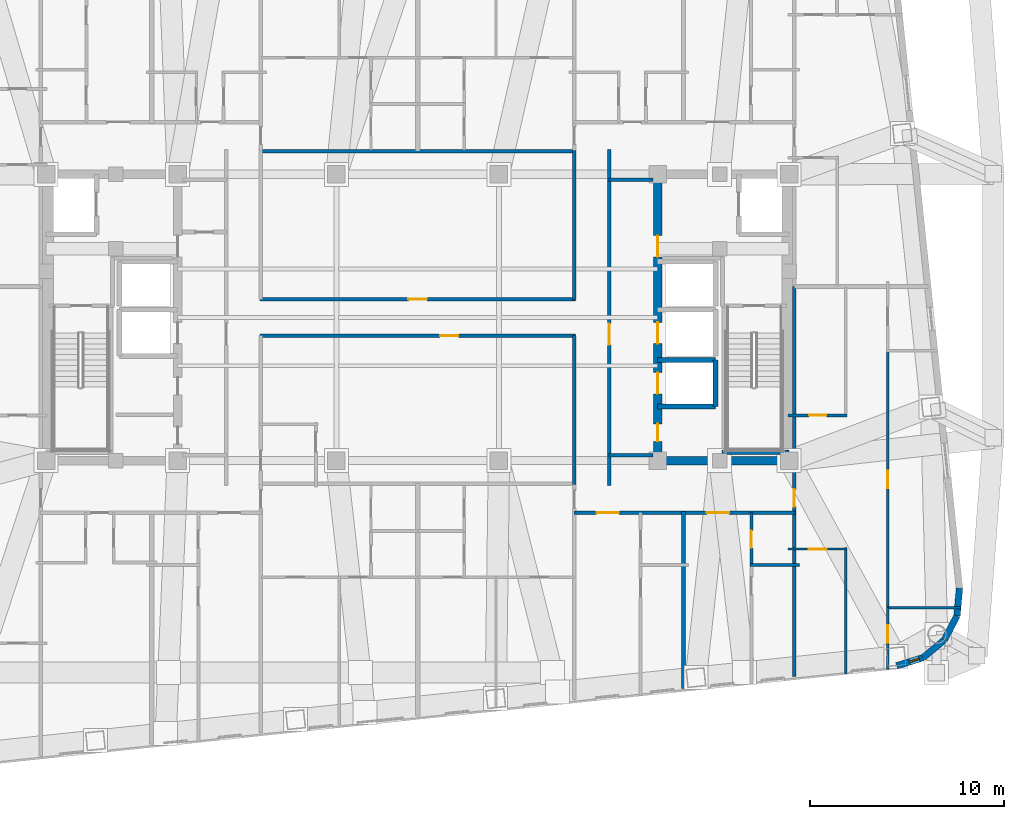
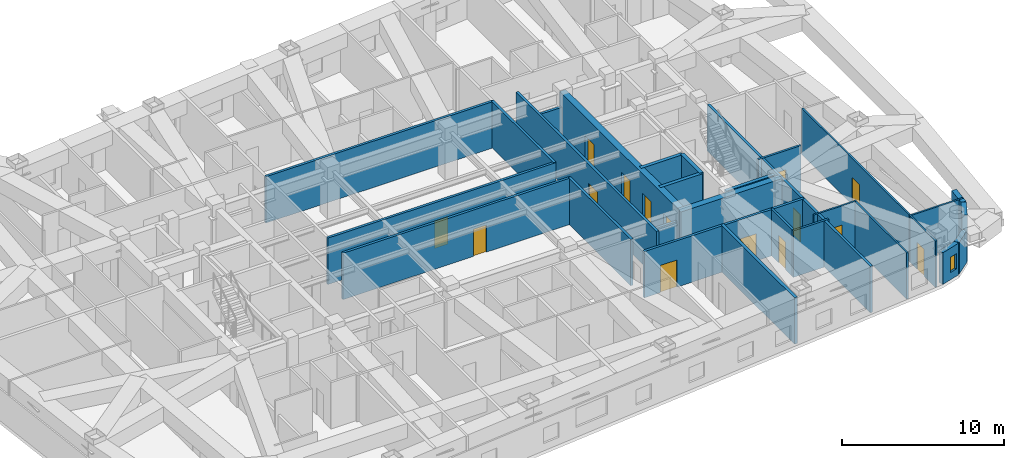
# One storey, part 7 of 13: 29 walls, 15 doors, 1 window, 16 openings.
"""IFC4 building model written with IfcOpenShell, lengths in metres."""

import ifcopenshell
import ifcopenshell.guid

model = None  # the IFC model being written
_history = None  # IfcOwnerHistory: only IFC2X3 demands one
_inside = {}  # id of a spatial element -> (the spatial element, [elements in it])
_under = {}  # id of a project, library or spatial element -> (it, [spatial elements below it])
_declared = {}  # id of a project -> (the project, [libraries it declares])
_typed = {}  # id of a type object -> (the type object, [elements of that type])
_made_of = {}  # id of a material, layer set ... -> (it, [elements and type objects made of it])


def new_model(schema):
    """Start an empty IFC model of exactly this schema.

    Asked for "IFC4X3", IfcOpenShell would pick the latest addendum, in which some entities
    have other attributes; the version numbers below select the first issue.
    IFC2X3 requires an IfcOwnerHistory on every rooted entity: one is made here for all.
    """
    global model, _history
    if schema == "IFC4X3":
        model = ifcopenshell.file(schema_version=(4, 3, 0, 0))
    else:
        model = ifcopenshell.file(schema=schema)
    _inside.clear()
    _under.clear()
    _declared.clear()
    _typed.clear()
    _made_of.clear()
    _history = None
    if model.schema == "IFC2X3":
        org = make("IfcOrganization", Name="unknown")
        user = make(
            "IfcPersonAndOrganization",
            ThePerson=make("IfcPerson", FamilyName="unknown"),
            TheOrganization=org,
        )
        app = make(
            "IfcApplication",
            ApplicationDeveloper=org,
            Version="unknown",
            ApplicationFullName="unknown",
            ApplicationIdentifier="unknown",
        )
        _history = make(
            "IfcOwnerHistory",
            OwningUser=user,
            OwningApplication=app,
            ChangeAction="ADDED",
            CreationDate=0,
        )
    return model


def make(cls, **values):
    """One entity of the class cls with the attributes given. An attribute that is None is left unset."""
    return model.create_entity(
        cls, **{name: value for name, value in values.items() if value is not None}
    )


def rooted(cls, **values):
    """An entity with a GlobalId (a new one), such as an element, a storey or a relation."""
    return make(cls, GlobalId=ifcopenshell.guid.new(), OwnerHistory=_history, **values)


def si_unit(unit_type, name, prefix=None):
    """IfcSIUnit, for example si_unit("LENGTHUNIT", "METRE", prefix="MILLI")."""
    return make("IfcSIUnit", UnitType=unit_type, Prefix=prefix, Name=name)


def assignment(units):
    """IfcUnitAssignment: the units of a project."""
    return None if units is None else make("IfcUnitAssignment", Units=units)


def point(xyz):
    """IfcCartesianPoint."""
    return None if xyz is None else make("IfcCartesianPoint", Coordinates=xyz)


def direction(xyz):
    """IfcDirection."""
    return None if xyz is None else make("IfcDirection", DirectionRatios=xyz)


def frame(location, z_axis=None, x_axis=None):
    """IfcAxis2Placement3D, a coordinate frame: its origin and axes. An axis left out is left unset."""
    return make(
        "IfcAxis2Placement3D",
        Location=point(location),
        Axis=direction(z_axis),
        RefDirection=direction(x_axis),
    )


def frame_2d(location, x_axis=None):
    """IfcAxis2Placement2D, a coordinate frame in the plane: its origin and x axis."""
    return make(
        "IfcAxis2Placement2D", Location=point(location), RefDirection=direction(x_axis)
    )


def origin():
    """The frame at (0, 0, 0) with its axes left unset."""
    return frame((0.0, 0.0, 0.0))


def place(relative_to, where):
    """IfcLocalPlacement: puts the frame where relative to a parent placement (None: the world)."""
    return make(
        "IfcLocalPlacement", PlacementRelTo=relative_to, RelativePlacement=where
    )


def context(
    kind, dimensions, precision=None, world=None, true_north=None, identifier=None
):
    """IfcGeometricRepresentationContext, for example the 3D "Model" context."""
    return make(
        "IfcGeometricRepresentationContext",
        ContextIdentifier=identifier,
        ContextType=kind,
        CoordinateSpaceDimension=dimensions,
        Precision=precision,
        WorldCoordinateSystem=world,
        TrueNorth=true_north,
    )


def subcontext(parent, identifier, kind, view, scale=None):
    """IfcGeometricRepresentationSubContext, for example "Body" below "Model"."""
    return make(
        "IfcGeometricRepresentationSubContext",
        ContextIdentifier=identifier,
        ContextType=kind,
        ParentContext=parent,
        TargetScale=scale,
        TargetView=view,
    )


def project(units=None, contexts=None):
    """IfcProject with its units and contexts."""
    return rooted(
        "IfcProject",
        Name="project",
        RepresentationContexts=contexts,
        UnitsInContext=assignment(units),
    )


def spatial(cls, under=None, at=None, **own):
    """A site, building, storey or space (cls), placed at a placement, below another one or the project."""
    s = rooted(cls, ObjectPlacement=at, **own)
    if under is not None:
        _under.setdefault(under.id(), (under, []))[1].append(s)
    return s


def profile(cls, at=None, kind="AREA", **sizes):
    """A parametric profile (cls). Its sizes go by their IFC names, for example OverallWidth=200.0."""
    return make(cls, ProfileType=kind, Position=at, **sizes)


def rectangle(**sizes):
    """IfcRectangleProfileDef."""
    return profile("IfcRectangleProfileDef", **sizes)


def extrude(swept, where, along, depth):
    """IfcExtrudedAreaSolid: the profile swept, set in the frame where, extruded along a direction by depth."""
    return make(
        "IfcExtrudedAreaSolid",
        SweptArea=swept,
        Position=where,
        ExtrudedDirection=direction(along),
        Depth=depth,
    )


def shape(context_of_items, identifier, shape_type, items):
    """IfcShapeRepresentation: the items that make up one representation, for example the "Body"."""
    return make(
        "IfcShapeRepresentation",
        ContextOfItems=context_of_items,
        RepresentationIdentifier=identifier,
        RepresentationType=shape_type,
        Items=items,
    )


def material(Name=None, Category=None):
    """IfcMaterial."""
    return make("IfcMaterial", Name=Name, Category=Category)


def layer(
    of_material, thickness, ventilated=None, Name=None, Category=None, Priority=None
):
    """IfcMaterialLayer: one layer of a wall or slab, of a material (None: an air gap)."""
    return make(
        "IfcMaterialLayer",
        Material=of_material,
        LayerThickness=thickness,
        IsVentilated=ventilated,
        Name=Name,
        Category=Category,
        Priority=Priority,
    )


def layer_set(layers, Name=None):
    """IfcMaterialLayerSet."""
    return make("IfcMaterialLayerSet", MaterialLayers=layers, LayerSetName=Name)


def made_of(thing, what):
    """Note that an element or type object is made of a material, layer set ...; save() writes the relation."""
    if what is not None:
        _made_of.setdefault(what.id(), (what, []))[1].append(thing)
    return thing


def type_object(cls, material=None, **own):
    """A type object (cls), such as IfcWallType, which elements share."""
    return made_of(rooted(cls, **own), material)


def element(
    cls,
    number,
    at=None,
    inside=None,
    cuts=None,
    type_object=None,
    material=None,
    context=None,
    identifier="Body",
    shape_type=None,
    held_by="IfcProductDefinitionShape",
    body=None,
    shapes=None,
    **own,
):
    """One element of the class cls, such as IfcWall. Its Tag is "e" and its number.

    at: its placement. inside: the storey or other place that contains it. cuts: it is an
    opening in that element (IfcRelVoidsElement). A single representation is given by context,
    identifier, shape_type and body (its items); several are given by shapes. held_by: the class
    of the entity that holds the representations. save() writes the other relations.
    """
    e = rooted(cls, Tag="e%d" % number, ObjectPlacement=at, **own)
    if body is not None:
        shapes = [shape(context, identifier, shape_type, body)]
    if shapes is not None:
        e.Representation = make(held_by, Representations=shapes)
    if inside is not None:
        _inside.setdefault(inside.id(), (inside, []))[1].append(e)
    if cuts is not None:
        rooted(
            "IfcRelVoidsElement", RelatingBuildingElement=cuts, RelatedOpeningElement=e
        )
    if type_object is not None:
        _typed.setdefault(type_object.id(), (type_object, []))[1].append(e)
    return made_of(e, material)


def fill(opening, filler):
    """IfcRelFillsElement: the door or window that sits in an opening."""
    return rooted(
        "IfcRelFillsElement",
        RelatingOpeningElement=opening,
        RelatedBuildingElement=filler,
    )


def aggregate(whole, parts):
    """IfcRelAggregates: a whole, such as a stair, and the parts it consists of."""
    return rooted("IfcRelAggregates", RelatingObject=whole, RelatedObjects=parts)


def save(model, path):
    """Write the relations noted so far, then the file.

    IfcRelAggregates (storeys below a building ...), IfcRelContainedInSpatialStructure (elements
    in a storey), IfcRelDefinesByType, IfcRelAssociatesMaterial and IfcRelDeclares: one each for
    every whole, place, type object, material and project.
    """
    for whole, parts in _under.values():
        aggregate(whole, parts)
    for where, things in _inside.values():
        rooted(
            "IfcRelContainedInSpatialStructure",
            RelatedElements=things,
            RelatingStructure=where,
        )
    for kind, things in _typed.values():
        rooted("IfcRelDefinesByType", RelatedObjects=things, RelatingType=kind)
    for what, things in _made_of.values():
        rooted("IfcRelAssociatesMaterial", RelatedObjects=things, RelatingMaterial=what)
    for by, libraries in _declared.values():
        rooted("IfcRelDeclares", RelatingContext=by, RelatedDefinitions=libraries)
    model.write(path)


model = new_model("IFC4")

# Units and contexts
model_context = context("Model", 3, precision=1e-05, world=origin(), true_north=direction((0.0, 1.0)))
body_context = subcontext(model_context, "Body", "Model", "MODEL_VIEW")
ifc_project = project(units=[si_unit("LENGTHUNIT", "METRE"), si_unit("AREAUNIT", "SQUARE_METRE"), si_unit("VOLUMEUNIT", "CUBIC_METRE"), si_unit("PLANEANGLEUNIT", "RADIAN"), si_unit("MASSUNIT", "GRAM", prefix="KILO")], contexts=[model_context])

# Site, building, storey
site_placement = place(None, origin())
site = spatial("IfcSite", under=ifc_project, at=site_placement, CompositionType="ELEMENT")
building_placement = place(site_placement, origin())
building = spatial("IfcBuilding", under=site, at=building_placement, Name="Voryun Gate Residences", CompositionType="ELEMENT")
storey_placement = place(building_placement, frame((0.0, 0.0, 191.10009765625)))
storey = spatial("IfcBuildingStorey", under=building, at=storey_placement, Name="L47", CompositionType="ELEMENT", Elevation=191.10009765625)

# Wall
ifc_material_1 = material(Name="Concrete C50/60", Category="concrete")
ifc_layer_1 = layer(ifc_material_1, 0.449951171875, Name="CW_CORE_450")
ifc_layer_set_1 = layer_set([ifc_layer_1], Name="Concrete C50/60")
wall_type_1 = type_object("IfcWallType", Name="CW_CORE_450", PredefinedType="SHEAR", material=ifc_layer_set_1)
wall_1_placement = place(storey_placement, frame((12.175048828125, -7.39990234375, 0.0), z_axis=(0.0, 0.0, 1.0), x_axis=(1.0, 0.0, 0.0)))
element("IfcWall", 1, at=wall_1_placement, inside=storey, type_object=wall_type_1, Name="L47 Core shear wall CW-L47-ES", PredefinedType="SHEAR", context=body_context, shape_type="SweptSolid", body=[
    extrude(rectangle(XDim=7.25, YDim=0.449951171875, at=frame_2d((3.625, 0.0))), origin(), (0.0, 0.0, 1.0), 3.5),
])

# Wall, openings, doors
wall_2_placement = place(storey_placement, frame((12.39990234375, -7.39990234375, 0.0), z_axis=(0.0, 0.0, 1.0), x_axis=(0.0, 1.0, 0.0)))
wall_2 = element("IfcWall", 2, at=wall_2_placement, inside=storey, type_object=wall_type_1, Name="L47 Core shear wall CW-L47-EW", PredefinedType="SHEAR", context=body_context, shape_type="SweptSolid", body=[
    extrude(rectangle(XDim=14.7998046875, YDim=0.449951171875, at=frame_2d((7.39990234375, 0.0))), origin(), (0.0, 0.0, 1.0), 3.5),
])
opening_1_placement = place(wall_2_placement, frame((3.449951171875, 0.0, 0.0)))
opening_1 = element("IfcOpeningElement", 3, at=opening_1_placement, cuts=wall_2, Name="Opening LD2", PredefinedType="OPENING", context=body_context, shape_type="SweptSolid", body=[
    extrude(rectangle(XDim=1.10009765625, YDim=2.050048828125, at=frame_2d((0.550048828125, 1.02490234375))), frame((0.0, 0.235107421875, 0.0), z_axis=(0.0, -1.0, 0.0), x_axis=(1.0, 0.0, 0.0)), (0.0, 0.0, 1.0), 0.469970703125),
])
opening_2_placement = place(wall_2_placement, frame((6.050048828125, 0.0, 0.0)))
opening_2 = element("IfcOpeningElement", 4, at=opening_2_placement, cuts=wall_2, Name="Opening LD2", PredefinedType="OPENING", context=body_context, shape_type="SweptSolid", body=[
    extrude(rectangle(XDim=1.10009765625, YDim=2.050048828125, at=frame_2d((0.550048828125, 1.02490234375))), frame((0.0, 0.235107421875, 0.0), z_axis=(0.0, -1.0, 0.0), x_axis=(1.0, 0.0, 0.0)), (0.0, 0.0, 1.0), 0.469970703125),
])
opening_3_placement = place(wall_2_placement, frame((10.530029296875, 0.0, 0.0)))
opening_3 = element("IfcOpeningElement", 5, at=opening_3_placement, cuts=wall_2, Name="Opening D-FD60-2", PredefinedType="OPENING", context=body_context, shape_type="SweptSolid", body=[
    extrude(rectangle(XDim=1.10009765625, YDim=2.050048828125, at=frame_2d((0.550048828125, 1.02490234375))), frame((0.0, 0.235107421875, 0.0), z_axis=(0.0, -1.0, 0.0), x_axis=(1.0, 0.0, 0.0)), (0.0, 0.0, 1.0), 0.469970703125),
])
opening_4_placement = place(wall_2_placement, frame((1.0, 0.0, 0.0)))
opening_4 = element("IfcOpeningElement", 6, at=opening_4_placement, cuts=wall_2, Name="Opening D-FD60-4", PredefinedType="OPENING", context=body_context, shape_type="SweptSolid", body=[
    extrude(rectangle(XDim=0.89990234375, YDim=2.050048828125, at=frame_2d((0.449951171875, 1.02490234375))), frame((0.0, 0.235107421875, 0.0), z_axis=(0.0, -1.0, 0.0), x_axis=(1.0, 0.0, 0.0)), (0.0, 0.0, 1.0), 0.469970703125),
])
ifc_material_2 = material(Name="Painted steel fire door", Category="steel")
door_type_1 = type_object("IfcDoorType", Name="DR_FD60_FFLOB_1100", OperationType="NOTDEFINED", PredefinedType="DOOR", material=ifc_material_2)
door_1_placement = place(opening_3_placement, origin())
door_1 = element("IfcDoor", 7, at=door_1_placement, inside=storey, type_object=door_type_1, Name="Door DR-L47-CLOB-E", OperationType="SINGLE_SWING_RIGHT", OverallHeight=2.050048828125, OverallWidth=1.10009765625, PredefinedType="DOOR", context=body_context, shape_type="SweptSolid", body=[
    extrude(rectangle(XDim=1.10009765625, YDim=2.050048828125, at=frame_2d((0.550048828125, 1.02490234375))), frame((0.0, 0.02490234375, 0.0), z_axis=(0.0, -1.0, 0.0), x_axis=(1.0, 0.0, 0.0)), (0.0, 0.0, 1.0), 0.050048828125),
])
fill(opening_3, door_1)
ifc_material_3 = material(Name="Painted steel fire door", Category="steel")
door_type_2 = type_object("IfcDoorType", Name="DR_FD60_RISER_900", OperationType="NOTDEFINED", PredefinedType="DOOR", material=ifc_material_3)
door_2_placement = place(opening_4_placement, origin())
door_2 = element("IfcDoor", 8, at=door_2_placement, inside=storey, type_object=door_type_2, Name="Door DR-L47-RECE1", OperationType="SINGLE_SWING_RIGHT", OverallHeight=2.050048828125, OverallWidth=0.89990234375, PredefinedType="DOOR", context=body_context, shape_type="SweptSolid", body=[
    extrude(rectangle(XDim=0.89990234375, YDim=2.050048828125, at=frame_2d((0.449951171875, 1.02490234375))), frame((0.0, 0.02490234375, 0.0), z_axis=(0.0, -1.0, 0.0), x_axis=(1.0, 0.0, 0.0)), (0.0, 0.0, 1.0), 0.050048828125),
])
fill(opening_4, door_2)
ifc_material_4 = material(Name="Anodised aluminium", Category="aluminium")
door_type_3 = type_object("IfcDoorType", Name="DR_LD_PASS_1100", OperationType="NOTDEFINED", PredefinedType="DOOR", material=ifc_material_4)
door_3_placement = place(opening_1_placement, origin())
door_3 = element("IfcDoor", 9, at=door_3_placement, inside=storey, type_object=door_type_3, Name="Lift EL-P5 sliding landing door L47", OperationType="SLIDING_TO_LEFT", OverallHeight=2.050048828125, OverallWidth=1.10009765625, PredefinedType="DOOR", context=body_context, shape_type="SweptSolid", body=[
    extrude(rectangle(XDim=1.10009765625, YDim=2.050048828125, at=frame_2d((0.550048828125, 1.02490234375))), frame((0.0, 0.02490234375, 0.0), z_axis=(0.0, -1.0, 0.0), x_axis=(1.0, 0.0, 0.0)), (0.0, 0.0, 1.0), 0.050048828125),
])
fill(opening_1, door_3)
door_4_placement = place(opening_2_placement, origin())
door_4 = element("IfcDoor", 10, at=door_4_placement, inside=storey, type_object=door_type_3, Name="Lift EL-P6 sliding landing door L47", OperationType="SLIDING_TO_LEFT", OverallHeight=2.050048828125, OverallWidth=1.10009765625, PredefinedType="DOOR", context=body_context, shape_type="SweptSolid", body=[
    extrude(rectangle(XDim=1.10009765625, YDim=2.050048828125, at=frame_2d((0.550048828125, 1.02490234375))), frame((0.0, 0.02490234375, 0.0), z_axis=(0.0, -1.0, 0.0), x_axis=(1.0, 0.0, 0.0)), (0.0, 0.0, 1.0), 0.050048828125),
])
fill(opening_2, door_4)

# Walls
ifc_material_5 = material(Name="Gypsum acoustic fireboard")
ifc_layer_2 = layer(ifc_material_5, 0.179931640625, Name="W_CORR_RATED_180")
ifc_layer_set_2 = layer_set([ifc_layer_2], Name="Gypsum acoustic fireboard")
wall_type_2 = type_object("IfcWallType", Name="W_CORR_RATED_180", PredefinedType="PARTITIONING", material=ifc_layer_set_2)
for number, where, z_axis, x_axis, name in (
    (11, (9.8798828125, 7.1201171875, 0.0), (0.0, 0.0, 1.0), (1.0, 0.0, 0.0), "Partition wall WP-L47-PLBN-E"),
    (12, (9.8798828125, -7.1201171875, 0.0), (0.0, 0.0, 1.0), (1.0, 0.0, 0.0), "Partition wall WP-L47-PLBS-E"),
):
    element("IfcWall", number, at=place(storey_placement, frame(where, z_axis=z_axis, x_axis=x_axis)), inside=storey, type_object=wall_type_2, Name=name, PredefinedType="PARTITIONING", context=body_context, shape_type="SweptSolid", body=[
        extrude(rectangle(XDim=2.27001953125, YDim=0.179931640625, at=frame_2d((1.135009765625, 0.0))), origin(), (0.0, 0.0, 1.0), 2.539794921875),
    ])

# Wall, opening, door
wall_3_placement = place(storey_placement, frame((9.89990234375, -8.679931640625, 0.0), z_axis=(0.0, 0.0, 1.0), x_axis=(0.0, 1.0, 0.0)))
wall_3 = element("IfcWall", 13, at=wall_3_placement, inside=storey, type_object=wall_type_2, Name="Partition wall WP-L47-PLBE-FULL", PredefinedType="PARTITIONING", context=body_context, shape_type="SweptSolid", body=[
    extrude(rectangle(XDim=17.35986328125, YDim=0.179931640625, at=frame_2d((8.679931640625, 0.0))), origin(), (0.0, 0.0, 1.0), 3.5),
])
opening_5_placement = place(wall_3_placement, frame((7.261962890625, 0.0, 0.0)))
opening_5 = element("IfcOpeningElement", 14, at=opening_5_placement, cuts=wall_3, Name="Opening D-FD60-2", PredefinedType="OPENING", context=body_context, shape_type="SweptSolid", body=[
    extrude(rectangle(XDim=1.10009765625, YDim=2.050048828125, at=frame_2d((0.550048828125, 1.02490234375))), frame((0.0, 0.099853515625, 0.0), z_axis=(0.0, -1.0, 0.0), x_axis=(1.0, 0.0, 0.0)), (0.0, 0.0, 1.0), 0.199951171875),
])
door_5_placement = place(opening_5_placement, origin())
door_5 = element("IfcDoor", 15, at=door_5_placement, inside=storey, type_object=door_type_1, Name="Door DR-L47-PLBE-COR", OperationType="SINGLE_SWING_RIGHT", OverallHeight=2.050048828125, OverallWidth=1.10009765625, PredefinedType="DOOR", context=body_context, shape_type="SweptSolid", body=[
    extrude(rectangle(XDim=1.10009765625, YDim=2.050048828125, at=frame_2d((0.550048828125, 1.02490234375))), frame((0.0, 0.02490234375, 0.0), z_axis=(0.0, -1.0, 0.0), x_axis=(1.0, 0.0, 0.0)), (0.0, 0.0, 1.0), 0.050048828125),
])
fill(opening_5, door_5)

# Wall
wall_4_placement = place(storey_placement, frame((-8.14990234375, 8.590087890625, 0.0), z_axis=(0.0, 0.0, 1.0), x_axis=(1.0, 0.0, 0.0)))
element("IfcWall", 16, at=wall_4_placement, inside=storey, type_object=wall_type_2, Name="Partition wall WP-L47-Z2N", PredefinedType="PARTITIONING", context=body_context, shape_type="SweptSolid", body=[
    extrude(rectangle(XDim=16.2998046875, YDim=0.179931640625, at=frame_2d((8.14990234375, 0.0))), origin(), (0.0, 0.0, 1.0), 3.5),
])

# Wall, opening, door
wall_5_placement = place(storey_placement, frame((-8.14990234375, 0.93994140625, 0.0), z_axis=(0.0, 0.0, 1.0), x_axis=(1.0, 0.0, 0.0)))
wall_5 = element("IfcWall", 17, at=wall_5_placement, inside=storey, type_object=wall_type_2, Name="Partition wall WP-L47-Z2HN", PredefinedType="PARTITIONING", context=body_context, shape_type="SweptSolid", body=[
    extrude(rectangle(XDim=16.2998046875, YDim=0.179931640625, at=frame_2d((8.14990234375, 0.0))), origin(), (0.0, 0.0, 1.0), 3.5),
])
opening_6_placement = place(wall_5_placement, frame((7.675048828125, 0.0, 0.0)))
opening_6 = element("IfcOpeningElement", 18, at=opening_6_placement, cuts=wall_5, Name="Opening D-INT-1", PredefinedType="OPENING", context=body_context, shape_type="SweptSolid", body=[
    extrude(rectangle(XDim=0.949951171875, YDim=2.050048828125, at=frame_2d((0.47509765625, 1.02490234375))), frame((0.0, 0.099853515625, 0.0), z_axis=(0.0, -1.0, 0.0), x_axis=(1.0, 0.0, 0.0)), (0.0, 0.0, 1.0), 0.199951171875),
])
ifc_material_6 = material(Name="Architectural oak veneer")
door_type_4 = type_object("IfcDoorType", Name="DR_INT_ROOM_950", OperationType="NOTDEFINED", PredefinedType="DOOR", material=ifc_material_6)
door_6_placement = place(opening_6_placement, origin())
door_6 = element("IfcDoor", 19, at=door_6_placement, inside=storey, type_object=door_type_4, Name="Door DR-L47-Z2NH", OperationType="SINGLE_SWING_LEFT", OverallHeight=2.050048828125, OverallWidth=0.949951171875, PredefinedType="DOOR", context=body_context, shape_type="SweptSolid", body=[
    extrude(rectangle(XDim=0.949951171875, YDim=2.050048828125, at=frame_2d((0.47509765625, 1.02490234375))), frame((0.0, 0.02490234375, 0.0), z_axis=(0.0, -1.0, 0.0), x_axis=(1.0, 0.0, 0.0)), (0.0, 0.0, 1.0), 0.050048828125),
])
fill(opening_6, door_6)

wall_6_placement = place(storey_placement, frame((-8.14990234375, -0.93994140625, 0.0), z_axis=(0.0, 0.0, 1.0), x_axis=(1.0, 0.0, 0.0)))
wall_6 = element("IfcWall", 20, at=wall_6_placement, inside=storey, type_object=wall_type_2, Name="Partition wall WP-L47-Z2HS", PredefinedType="PARTITIONING", context=body_context, shape_type="SweptSolid", body=[
    extrude(rectangle(XDim=16.2998046875, YDim=0.179931640625, at=frame_2d((8.14990234375, 0.0))), origin(), (0.0, 0.0, 1.0), 3.5),
])
opening_7_placement = place(wall_6_placement, frame((9.304931640625, 0.0, 0.0)))
opening_7 = element("IfcOpeningElement", 21, at=opening_7_placement, cuts=wall_6, Name="Opening D-INT-1", PredefinedType="OPENING", context=body_context, shape_type="SweptSolid", body=[
    extrude(rectangle(XDim=0.949951171875, YDim=2.050048828125, at=frame_2d((0.47509765625, 1.02490234375))), frame((0.0, 0.099853515625, 0.0), z_axis=(0.0, -1.0, 0.0), x_axis=(1.0, 0.0, 0.0)), (0.0, 0.0, 1.0), 0.199951171875),
])
door_7_placement = place(opening_7_placement, origin())
door_7 = element("IfcDoor", 22, at=door_7_placement, inside=storey, type_object=door_type_4, Name="Door DR-L47-Z2SH", OperationType="SINGLE_SWING_RIGHT", OverallHeight=2.050048828125, OverallWidth=0.949951171875, PredefinedType="DOOR", context=body_context, shape_type="SweptSolid", body=[
    extrude(rectangle(XDim=0.949951171875, YDim=2.050048828125, at=frame_2d((0.47509765625, 1.02490234375))), frame((0.0, 0.02490234375, 0.0), z_axis=(0.0, -1.0, 0.0), x_axis=(1.0, 0.0, 0.0)), (0.0, 0.0, 1.0), 0.050048828125),
])
fill(opening_7, door_7)

# Walls
for number, where, z_axis, x_axis, name in (
    (23, (8.10009765625, 0.919921875, 0.0), (0.0, 0.0, 1.0), (0.0, 1.0, 0.0), "Partition wall WP-L47-Z2ER1"),
    (24, (8.10009765625, -8.6298828125, 0.0), (0.0, 0.0, 1.0), (0.0, 1.0, 0.0), "Partition wall WP-L47-Z2ER2"),
):
    element("IfcWall", number, at=place(storey_placement, frame(where, z_axis=z_axis, x_axis=x_axis)), inside=storey, type_object=wall_type_2, Name=name, PredefinedType="PARTITIONING", context=body_context, shape_type="SweptSolid", body=[
        extrude(rectangle(XDim=7.7099609375, YDim=0.179931640625, at=frame_2d((3.85498046875, 0.0))), origin(), (0.0, 0.0, 1.0), 3.5),
    ])

# Wall, openings, doors
wall_7_placement = place(storey_placement, frame((8.080078125, -10.10009765625, 0.0), z_axis=(0.0, 0.0, 1.0), x_axis=(1.0, 0.0, 0.0)))
wall_7 = element("IfcWall", 25, at=wall_7_placement, inside=storey, type_object=wall_type_2, Name="Partition wall WP-L47-SCORR-E", PredefinedType="PARTITIONING", context=body_context, shape_type="SweptSolid", body=[
    extrude(rectangle(XDim=11.419921875, YDim=0.179931640625, at=frame_2d((5.7099609375, 0.0))), origin(), (0.0, 0.0, 1.0), 3.5),
])
opening_8_placement = place(wall_7_placement, frame((1.174560546875, 0.0, 0.0)))
opening_8 = element("IfcOpeningElement", 26, at=opening_8_placement, cuts=wall_7, Name="Opening D-UNIT-1", PredefinedType="OPENING", context=body_context, shape_type="SweptSolid", body=[
    extrude(rectangle(XDim=1.14990234375, YDim=2.050048828125, at=frame_2d((0.574951171875, 1.02490234375))), frame((0.0, 0.099853515625, 0.0), z_axis=(0.0, -1.0, 0.0), x_axis=(1.0, 0.0, 0.0)), (0.0, 0.0, 1.0), 0.199951171875),
])
opening_9_placement = place(wall_7_placement, frame((6.86962890625, 0.0, 0.0)))
opening_9 = element("IfcOpeningElement", 27, at=opening_9_placement, cuts=wall_7, Name="Opening D-UNIT-1", PredefinedType="OPENING", context=body_context, shape_type="SweptSolid", body=[
    extrude(rectangle(XDim=1.14990234375, YDim=2.050048828125, at=frame_2d((0.574951171875, 1.02490234375))), frame((0.0, 0.099853515625, 0.0), z_axis=(0.0, -1.0, 0.0), x_axis=(1.0, 0.0, 0.0)), (0.0, 0.0, 1.0), 0.199951171875),
])
ifc_material_7 = material(Name="Armoured timber-clad fire door", Category="wood")
door_type_5 = type_object("IfcDoorType", Name="DR_UNIT_ENTRY_1150", OperationType="NOTDEFINED", PredefinedType="DOOR", material=ifc_material_7)
door_8_placement = place(opening_8_placement, origin())
door_8 = element("IfcDoor", 28, at=door_8_placement, inside=storey, type_object=door_type_5, Name="Door DR-L47-SENT-4", OperationType="SINGLE_SWING_LEFT", OverallHeight=2.050048828125, OverallWidth=1.14990234375, PredefinedType="DOOR", context=body_context, shape_type="SweptSolid", body=[
    extrude(rectangle(XDim=1.14990234375, YDim=2.050048828125, at=frame_2d((0.574951171875, 1.02490234375))), frame((0.0, 0.02490234375, 0.0), z_axis=(0.0, -1.0, 0.0), x_axis=(1.0, 0.0, 0.0)), (0.0, 0.0, 1.0), 0.050048828125),
])
fill(opening_8, door_8)
door_9_placement = place(opening_9_placement, origin())
door_9 = element("IfcDoor", 29, at=door_9_placement, inside=storey, type_object=door_type_5, Name="Door DR-L47-SENT-5", OperationType="SINGLE_SWING_RIGHT", OverallHeight=2.050048828125, OverallWidth=1.14990234375, PredefinedType="DOOR", context=body_context, shape_type="SweptSolid", body=[
    extrude(rectangle(XDim=1.14990234375, YDim=2.050048828125, at=frame_2d((0.574951171875, 1.02490234375))), frame((0.0, 0.02490234375, 0.0), z_axis=(0.0, -1.0, 0.0), x_axis=(1.0, 0.0, 0.0)), (0.0, 0.0, 1.0), 0.050048828125),
])
fill(opening_9, door_9)

# Wall, opening, door
wall_8_placement = place(storey_placement, frame((19.469970703125, -18.55859375, 0.0), z_axis=(0.0, 0.0, 1.0), x_axis=(0.0, 1.0, 0.0)))
wall_8 = element("IfcWall", 30, at=wall_8_placement, inside=storey, type_object=wall_type_2, Name="Partition wall WP-L47-ECOR1", PredefinedType="PARTITIONING", context=body_context, shape_type="SweptSolid", body=[
    extrude(rectangle(XDim=20.15869140625, YDim=0.179931640625, at=frame_2d((10.079345703125, 0.0))), origin(), (0.0, 0.0, 1.0), 3.5),
])
opening_10_placement = place(wall_8_placement, frame((8.77880859375, 0.0, 0.0)))
opening_10 = element("IfcOpeningElement", 31, at=opening_10_placement, cuts=wall_8, Name="Opening D-INT-2", PredefinedType="OPENING", context=body_context, shape_type="SweptSolid", body=[
    extrude(rectangle(XDim=0.89990234375, YDim=2.050048828125, at=frame_2d((0.449951171875, 1.02490234375))), frame((0.0, 0.099853515625, 0.0), z_axis=(0.0, -1.0, 0.0), x_axis=(1.0, 0.0, 0.0)), (0.0, 0.0, 1.0), 0.199951171875),
])
ifc_material_8 = material(Name="Architectural oak veneer")
door_type_6 = type_object("IfcDoorType", Name="DR_INT_BATH_900", OperationType="NOTDEFINED", PredefinedType="DOOR", material=ifc_material_8)
door_10_placement = place(opening_10_placement, origin())
door_10 = element("IfcDoor", 32, at=door_10_placement, inside=storey, type_object=door_type_6, Name="Door DR-L47-EE1", OperationType="SINGLE_SWING_LEFT", OverallHeight=2.050048828125, OverallWidth=0.89990234375, PredefinedType="DOOR", context=body_context, shape_type="SweptSolid", body=[
    extrude(rectangle(XDim=0.89990234375, YDim=2.050048828125, at=frame_2d((0.449951171875, 1.02490234375))), frame((0.0, 0.02490234375, 0.0), z_axis=(0.0, -1.0, 0.0), x_axis=(1.0, 0.0, 0.0)), (0.0, 0.0, 1.0), 0.050048828125),
])
fill(opening_10, door_10)

# Walls
ifc_material_9 = material(Name="Charcoal terracotta masonry", Category="masonry")
ifc_layer_3 = layer(ifc_material_9, 0.340087890625, Name="W_EXT_TERRACOTTA_340")
ifc_layer_set_3 = layer_set([ifc_layer_3], Name="Charcoal terracotta masonry")
wall_type_3 = type_object("IfcWallType", Name="W_EXT_TERRACOTTA_340", PredefinedType="ELEMENTEDWALL", material=ifc_layer_set_3)
wall_9_placement = place(storey_placement, frame((28.001220703125, -13.9951171875, 0.0), z_axis=(0.0, 0.0, 1.0), x_axis=(-0.091534682358, -0.995801888894, 0.0)))
element("IfcWall", 33, at=wall_9_placement, inside=storey, type_object=wall_type_3, Name="Exterior wall WEXT-L47-17", PredefinedType="ELEMENTEDWALL", context=body_context, shape_type="SweptSolid", body=[
    extrude(rectangle(XDim=1.432373046875, YDim=0.340087890625, at=frame_2d((0.71630859375, 0.0))), origin(), (0.0, 0.0, 1.0), 3.5),
])
wall_10_placement = place(storey_placement, frame((27.8701171875, -15.42138671875, 0.0), z_axis=(0.0, 0.0, 1.0), x_axis=(-0.465682431293, -0.884951904447, 0.0)))
element("IfcWall", 34, at=wall_10_placement, inside=storey, type_object=wall_type_3, Name="Exterior wall WEXT-L47-18", PredefinedType="ELEMENTEDWALL", context=body_context, shape_type="SweptSolid", body=[
    extrude(rectangle(XDim=1.4150390625, YDim=0.340087890625, at=frame_2d((0.70751953125, 0.0))), origin(), (0.0, 0.0, 1.0), 3.5),
])
wall_11_placement = place(storey_placement, frame((27.211181640625, -16.673583984375, 0.0), z_axis=(0.0, 0.0, 1.0), x_axis=(-0.768758372808, -0.639539337522, 0.0)))
element("IfcWall", 35, at=wall_11_placement, inside=storey, type_object=wall_type_3, Name="Exterior wall WEXT-L47-19", PredefinedType="ELEMENTEDWALL", context=body_context, shape_type="SweptSolid", body=[
    extrude(rectangle(XDim=1.4150390625, YDim=0.340087890625, at=frame_2d((0.70751953125, 0.0))), origin(), (0.0, 0.0, 1.0), 2.389892578125),
])

# Wall, opening, window
wall_12_placement = place(storey_placement, frame((26.123291015625, -17.57861328125, 0.0), z_axis=(0.0, 0.0, 1.0), x_axis=(-0.955042500381, -0.296468923271, 0.0)))
wall_12 = element("IfcWall", 36, at=wall_12_placement, inside=storey, type_object=wall_type_3, Name="Exterior wall WEXT-L47-20", PredefinedType="ELEMENTEDWALL", context=body_context, shape_type="SweptSolid", body=[
    extrude(rectangle(XDim=1.43212890625, YDim=0.340087890625, at=frame_2d((0.716064453125, 0.0))), origin(), (0.0, 0.0, 1.0), 2.389892578125),
])
opening_11_placement = place(wall_12_placement, frame((0.216064453125, 0.0, 0.550048828125)))
opening_11 = element("IfcOpeningElement", 37, at=opening_11_placement, cuts=wall_12, Name="Opening WN10", PredefinedType="OPENING", context=body_context, shape_type="SweptSolid", body=[
    extrude(rectangle(XDim=0.52001953125, YDim=1.14990234375, at=frame_2d((0.260009765625, 0.574951171875))), frame((0.0, 0.179931640625, 0.0), z_axis=(0.0, -1.0, 0.0), x_axis=(1.0, 0.0, 0.0)), (0.0, 0.0, 1.0), 0.360107421875),
])
ifc_material_10 = material(Name="Laminated low-E glass", Category="glass")
window_type = type_object("IfcWindowType", Name="WN_PAGODA_LANCET_520", PartitioningType="SINGLE_PANEL", PredefinedType="WINDOW", material=ifc_material_10)
window_placement = place(opening_11_placement, origin())
window = element("IfcWindow", 38, at=window_placement, inside=storey, type_object=window_type, Name="Window WN-L47-DWFIX-28", OverallHeight=1.14990234375, OverallWidth=0.52001953125, PartitioningType="SINGLE_PANEL", PredefinedType="WINDOW", context=body_context, shape_type="SweptSolid", body=[
    extrude(rectangle(XDim=0.52001953125, YDim=1.14990234375, at=frame_2d((0.260009765625, 0.574951171875))), frame((0.0, 0.030029296875, 0.0), z_axis=(0.0, -1.0, 0.0), x_axis=(1.0, 0.0, 0.0)), (0.0, 0.0, 1.0), 0.06005859375),
])
fill(opening_11, window)

# Walls
ifc_material_11 = material(Name="Concrete C40/50", Category="concrete")
ifc_layer_4 = layer(ifc_material_11, 0.219970703125, Name="W_PARTY_ACOUSTIC_220")
ifc_layer_set_4 = layer_set([ifc_layer_4], Name="Concrete C40/50")
wall_type_4 = type_object("IfcWallType", Name="W_PARTY_ACOUSTIC_220", PredefinedType="PARTITIONING", material=ifc_layer_set_4)
wall_13_placement = place(storey_placement, frame((13.739990234375, -19.160888671875, 0.0), z_axis=(0.0, 0.0, 1.0), x_axis=(0.0, 1.0, 0.0)))
element("IfcWall", 39, at=wall_13_placement, inside=storey, type_object=wall_type_4, Name="Partition wall WP-L47-SPTY-4", PredefinedType="PARTITIONING", context=body_context, shape_type="SweptSolid", body=[
    extrude(rectangle(XDim=9.140869140625, YDim=0.219970703125, at=frame_2d((4.5703125, 0.0))), origin(), (0.0, 0.0, 1.0), 3.5),
])
ifc_material_12 = material(Name="Concrete C50/60", Category="concrete")
ifc_layer_5 = layer(ifc_material_12, 0.25, Name="W_SHAFT_RC250")
ifc_layer_set_5 = layer_set([ifc_layer_5], Name="Concrete C50/60")
wall_type_5 = type_object("IfcWallType", Name="W_SHAFT_RC250", PredefinedType="SOLIDWALL", material=ifc_layer_set_5)
wall_14_placement = place(storey_placement, frame((15.739990234375, -6.965087890625, 0.0), z_axis=(0.0, 0.0, 1.0), x_axis=(1.0, 0.0, 0.0)))
element("IfcWall", 40, at=wall_14_placement, inside=storey, type_object=wall_type_5, Name="L47 Stair shaft structural wall E-STS", PredefinedType="SOLIDWALL", context=body_context, shape_type="SweptSolid", body=[
    extrude(rectangle(XDim=3.4599609375, YDim=0.25, at=frame_2d((1.72998046875, 0.0))), origin(), (0.0, 0.0, 1.0), 3.5),
])
wall_15_placement = place(storey_placement, frame((12.39990234375, -4.60009765625, 0.0), z_axis=(0.0, 0.0, 1.0), x_axis=(1.0, 0.0, 0.0)))
element("IfcWall", 41, at=wall_15_placement, inside=storey, type_object=wall_type_5, Name="Lift shaft wall WSH-L47-EL-P5-S", PredefinedType="SOLIDWALL", context=body_context, shape_type="SweptSolid", body=[
    extrude(rectangle(XDim=3.0, YDim=0.25, at=frame_2d((1.5, 0.0))), origin(), (0.0, 0.0, 1.0), 3.5),
])
wall_16_placement = place(storey_placement, frame((15.39990234375, -4.60009765625, 0.0), z_axis=(0.0, 0.0, 1.0), x_axis=(0.0, 1.0, 0.0)))
element("IfcWall", 42, at=wall_16_placement, inside=storey, type_object=wall_type_5, Name="Lift shaft wall WSH-L47-EL-P5-E", PredefinedType="SOLIDWALL", context=body_context, shape_type="SweptSolid", body=[
    extrude(rectangle(XDim=2.400146484375, YDim=0.25, at=frame_2d((1.2001953125, 0.0))), origin(), (0.0, 0.0, 1.0), 3.5),
])
wall_17_placement = place(storey_placement, frame((15.39990234375, -2.199951171875, 0.0), z_axis=(0.0, 0.0, 1.0), x_axis=(-1.0, 0.0, 0.0)))
element("IfcWall", 43, at=wall_17_placement, inside=storey, type_object=wall_type_5, Name="Lift shaft wall WSH-L47-EL-P5-N", PredefinedType="SOLIDWALL", context=body_context, shape_type="SweptSolid", body=[
    extrude(rectangle(XDim=3.0, YDim=0.25, at=frame_2d((1.5, 0.0))), origin(), (0.0, 0.0, 1.0), 3.5),
])
ifc_material_13 = material(Name="Gypsum acoustic partition")
ifc_layer_6 = layer(ifc_material_13, 0.125, Name="W_UNIT_PART_125")
ifc_layer_set_6 = layer_set([ifc_layer_6], Name="Gypsum acoustic partition")
wall_type_6 = type_object("IfcWallType", Name="W_UNIT_PART_125", PredefinedType="PARTITIONING", material=ifc_layer_set_6)
wall_18_placement = place(storey_placement, frame((24.219970703125, -15.010009765625, 0.0), z_axis=(0.0, 0.0, 1.0), x_axis=(1.0, 0.0, 0.0)))
element("IfcWall", 44, at=wall_18_placement, inside=storey, type_object=wall_type_6, Name="Partition wall WP-L47-E1-OH1", PredefinedType="PARTITIONING", context=body_context, shape_type="SweptSolid", body=[
    extrude(rectangle(XDim=3.838623046875, YDim=0.125, at=frame_2d((1.91943359375, 0.0))), origin(), (0.0, 0.0, 1.0), 3.5),
])

# Wall, opening, door
wall_19_placement = place(storey_placement, frame((24.300048828125, -18.201904296875, 0.0), z_axis=(0.0, 0.0, 1.0), x_axis=(0.0, 1.0, 0.0)))
wall_19 = element("IfcWall", 45, at=wall_19_placement, inside=storey, type_object=wall_type_6, Name="Partition wall WP-L47-E1-OVX1", PredefinedType="PARTITIONING", context=body_context, shape_type="SweptSolid", body=[
    extrude(rectangle(XDim=3.241943359375, YDim=0.125, at=frame_2d((1.62109375, 0.0))), origin(), (0.0, 0.0, 1.0), 3.5),
])
opening_12_placement = place(wall_19_placement, frame((1.390869140625, 0.0, 0.0)))
opening_12 = element("IfcOpeningElement", 46, at=opening_12_placement, cuts=wall_19, Name="Opening D-INT-2", PredefinedType="OPENING", context=body_context, shape_type="SweptSolid", body=[
    extrude(rectangle(XDim=0.89990234375, YDim=2.050048828125, at=frame_2d((0.449951171875, 1.02490234375))), frame((0.0, 0.072509765625, 0.0), z_axis=(0.0, -1.0, 0.0), x_axis=(1.0, 0.0, 0.0)), (0.0, 0.0, 1.0), 0.14501953125),
])
door_11_placement = place(opening_12_placement, origin())
door_11 = element("IfcDoor", 47, at=door_11_placement, inside=storey, type_object=door_type_6, Name="Door DR-L47-E1-DBD2", OperationType="SINGLE_SWING_LEFT", OverallHeight=2.050048828125, OverallWidth=0.89990234375, PredefinedType="DOOR", context=body_context, shape_type="SweptSolid", body=[
    extrude(rectangle(XDim=0.89990234375, YDim=2.050048828125, at=frame_2d((0.449951171875, 1.02490234375))), frame((0.0, 0.02490234375, 0.0), z_axis=(0.0, -1.0, 0.0), x_axis=(1.0, 0.0, 0.0)), (0.0, 0.0, 1.0), 0.050048828125),
])
fill(opening_12, door_11)

wall_20_placement = place(storey_placement, frame((24.300048828125, -15.06005859375, 0.0), z_axis=(0.0, 0.0, 1.0), x_axis=(0.0, 1.0, 0.0)))
wall_20 = element("IfcWall", 48, at=wall_20_placement, inside=storey, type_object=wall_type_6, Name="Partition wall WP-L47-E1-OVX2", PredefinedType="PARTITIONING", context=body_context, shape_type="SweptSolid", body=[
    extrude(rectangle(XDim=13.380126953125, YDim=0.125, at=frame_2d((6.68994140625, 0.0))), origin(), (0.0, 0.0, 1.0), 3.5),
])
opening_13_placement = place(wall_20_placement, frame((6.239990234375, 0.0, 0.0)))
opening_13 = element("IfcOpeningElement", 49, at=opening_13_placement, cuts=wall_20, Name="Opening D-INT-2", PredefinedType="OPENING", context=body_context, shape_type="SweptSolid", body=[
    extrude(rectangle(XDim=0.89990234375, YDim=2.050048828125, at=frame_2d((0.449951171875, 1.02490234375))), frame((0.0, 0.072509765625, 0.0), z_axis=(0.0, -1.0, 0.0), x_axis=(1.0, 0.0, 0.0)), (0.0, 0.0, 1.0), 0.14501953125),
])
door_12_placement = place(opening_13_placement, origin())
door_12 = element("IfcDoor", 50, at=door_12_placement, inside=storey, type_object=door_type_6, Name="Door DR-L47-E1-DSTD", OperationType="SINGLE_SWING_RIGHT", OverallHeight=2.050048828125, OverallWidth=0.89990234375, PredefinedType="DOOR", context=body_context, shape_type="SweptSolid", body=[
    extrude(rectangle(XDim=0.89990234375, YDim=2.050048828125, at=frame_2d((0.449951171875, 1.02490234375))), frame((0.0, 0.02490234375, 0.0), z_axis=(0.0, -1.0, 0.0), x_axis=(1.0, 0.0, 0.0)), (0.0, 0.0, 1.0), 0.050048828125),
])
fill(opening_13, door_12)

wall_21_placement = place(storey_placement, frame((19.14990234375, -11.966064453125, 0.0), z_axis=(0.0, 0.0, 1.0), x_axis=(1.0, 0.0, 0.0)))
wall_21 = element("IfcWall", 51, at=wall_21_placement, inside=storey, type_object=wall_type_6, Name="Partition wall WP-L47-E1-IKA", PredefinedType="PARTITIONING", context=body_context, shape_type="SweptSolid", body=[
    extrude(rectangle(XDim=3.050048828125, YDim=0.125, at=frame_2d((1.52490234375, 0.0))), origin(), (0.0, 0.0, 1.0), 3.5),
])
opening_14_placement = place(wall_21_placement, frame((1.050048828125, 0.0, 0.0)))
opening_14 = element("IfcOpeningElement", 52, at=opening_14_placement, cuts=wall_21, Name="Opening D-INT-1", PredefinedType="OPENING", context=body_context, shape_type="SweptSolid", body=[
    extrude(rectangle(XDim=0.949951171875, YDim=2.050048828125, at=frame_2d((0.47509765625, 1.02490234375))), frame((0.0, 0.072509765625, 0.0), z_axis=(0.0, -1.0, 0.0), x_axis=(1.0, 0.0, 0.0)), (0.0, 0.0, 1.0), 0.14501953125),
])
door_13_placement = place(opening_14_placement, origin())
door_13 = element("IfcDoor", 53, at=door_13_placement, inside=storey, type_object=door_type_4, Name="Door DR-L47-E1-DK", OperationType="SINGLE_SWING_LEFT", OverallHeight=2.050048828125, OverallWidth=0.949951171875, PredefinedType="DOOR", context=body_context, shape_type="SweptSolid", body=[
    extrude(rectangle(XDim=0.949951171875, YDim=2.050048828125, at=frame_2d((0.47509765625, 1.02490234375))), frame((0.0, 0.02490234375, 0.0), z_axis=(0.0, -1.0, 0.0), x_axis=(1.0, 0.0, 0.0)), (0.0, 0.0, 1.0), 0.050048828125),
])
fill(opening_14, door_13)

# Walls
wall_22_placement = place(storey_placement, frame((22.1201171875, -18.430908203125, 0.0), z_axis=(0.0, 0.0, 1.0), x_axis=(0.0, 1.0, 0.0)))
element("IfcWall", 54, at=wall_22_placement, inside=storey, type_object=wall_type_6, Name="Partition wall WP-L47-E1-VTA", PredefinedType="PARTITIONING", context=body_context, shape_type="SweptSolid", body=[
    extrude(rectangle(XDim=6.544921875, YDim=0.125, at=frame_2d((3.2724609375, 0.0))), origin(), (0.0, 0.0, 1.0), 3.5),
])
ifc_material_14 = material(Name="Gypsum moisture-resistant partition")
ifc_layer_7 = layer(ifc_material_14, 0.14990234375, Name="W_WET_PLUMB_150")
ifc_layer_set_7 = layer_set([ifc_layer_7], Name="Gypsum moisture-resistant partition")
wall_type_7 = type_object("IfcWallType", Name="W_WET_PLUMB_150", PredefinedType="PLUMBINGWALL", material=ifc_layer_set_7)
wall_23_placement = place(storey_placement, frame((17.169921875, -12.800048828125, 0.0), z_axis=(0.0, 0.0, 1.0), x_axis=(1.0, 0.0, 0.0)))
element("IfcWall", 55, at=wall_23_placement, inside=storey, type_object=wall_type_7, Name="Partition wall WP-L47-S5-SKB", PredefinedType="PLUMBINGWALL", context=body_context, shape_type="SweptSolid", body=[
    extrude(rectangle(XDim=2.550048828125, YDim=0.14990234375, at=frame_2d((1.27490234375, 0.0))), origin(), (0.0, 0.0, 1.0), 3.5),
])

# Wall, opening, door
wall_24_placement = place(storey_placement, frame((17.25, -12.840087890625, 0.0), z_axis=(0.0, 0.0, 1.0), x_axis=(0.0, 1.0, 0.0)))
wall_24 = element("IfcWall", 56, at=wall_24_placement, inside=storey, type_object=wall_type_7, Name="Partition wall WP-L47-S5-SVT2", PredefinedType="PLUMBINGWALL", context=body_context, shape_type="SweptSolid", body=[
    extrude(rectangle(XDim=2.760009765625, YDim=0.14990234375, at=frame_2d((1.3798828125, 0.0))), origin(), (0.0, 0.0, 1.0), 3.5),
])
opening_15_placement = place(wall_24_placement, frame((0.929931640625, 0.0, 0.0)))
opening_15 = element("IfcOpeningElement", 57, at=opening_15_placement, cuts=wall_24, Name="Opening D-INT-2", PredefinedType="OPENING", context=body_context, shape_type="SweptSolid", body=[
    extrude(rectangle(XDim=0.89990234375, YDim=2.050048828125, at=frame_2d((0.449951171875, 1.02490234375))), frame((0.0, 0.0849609375, 0.0), z_axis=(0.0, -1.0, 0.0), x_axis=(1.0, 0.0, 0.0)), (0.0, 0.0, 1.0), 0.169921875),
])
door_14_placement = place(opening_15_placement, origin())
door_14 = element("IfcDoor", 58, at=door_14_placement, inside=storey, type_object=door_type_6, Name="Door DR-L47-S5-DB", OperationType="SINGLE_SWING_RIGHT", OverallHeight=2.050048828125, OverallWidth=0.89990234375, PredefinedType="DOOR", context=body_context, shape_type="SweptSolid", body=[
    extrude(rectangle(XDim=0.89990234375, YDim=2.050048828125, at=frame_2d((0.449951171875, 1.02490234375))), frame((0.0, 0.02490234375, 0.0), z_axis=(0.0, -1.0, 0.0), x_axis=(1.0, 0.0, 0.0)), (0.0, 0.0, 1.0), 0.050048828125),
])
fill(opening_15, door_14)

wall_25_placement = place(storey_placement, frame((19.14990234375, -5.06005859375, 0.0), z_axis=(0.0, 0.0, 1.0), x_axis=(1.0, 0.0, 0.0)))
wall_25 = element("IfcWall", 59, at=wall_25_placement, inside=storey, type_object=wall_type_7, Name="Partition wall WP-L47-E1-IBB", PredefinedType="PLUMBINGWALL", context=body_context, shape_type="SweptSolid", body=[
    extrude(rectangle(XDim=3.050048828125, YDim=0.14990234375, at=frame_2d((1.52490234375, 0.0))), origin(), (0.0, 0.0, 1.0), 3.5),
])
opening_16_placement = place(wall_25_placement, frame((1.074951171875, 0.0, 0.0)))
opening_16 = element("IfcOpeningElement", 60, at=opening_16_placement, cuts=wall_25, Name="Opening D-INT-2", PredefinedType="OPENING", context=body_context, shape_type="SweptSolid", body=[
    extrude(rectangle(XDim=0.89990234375, YDim=2.050048828125, at=frame_2d((0.449951171875, 1.02490234375))), frame((0.0, 0.0849609375, 0.0), z_axis=(0.0, -1.0, 0.0), x_axis=(1.0, 0.0, 0.0)), (0.0, 0.0, 1.0), 0.169921875),
])
door_15_placement = place(opening_16_placement, origin())
door_15 = element("IfcDoor", 61, at=door_15_placement, inside=storey, type_object=door_type_6, Name="Door DR-L47-E1-DB", OperationType="SINGLE_SWING_RIGHT", OverallHeight=2.050048828125, OverallWidth=0.89990234375, PredefinedType="DOOR", context=body_context, shape_type="SweptSolid", body=[
    extrude(rectangle(XDim=0.89990234375, YDim=2.050048828125, at=frame_2d((0.449951171875, 1.02490234375))), frame((0.0, 0.02490234375, 0.0), z_axis=(0.0, -1.0, 0.0), x_axis=(1.0, 0.0, 0.0)), (0.0, 0.0, 1.0), 0.050048828125),
])
fill(opening_16, door_15)

save(model, "model.ifc")
